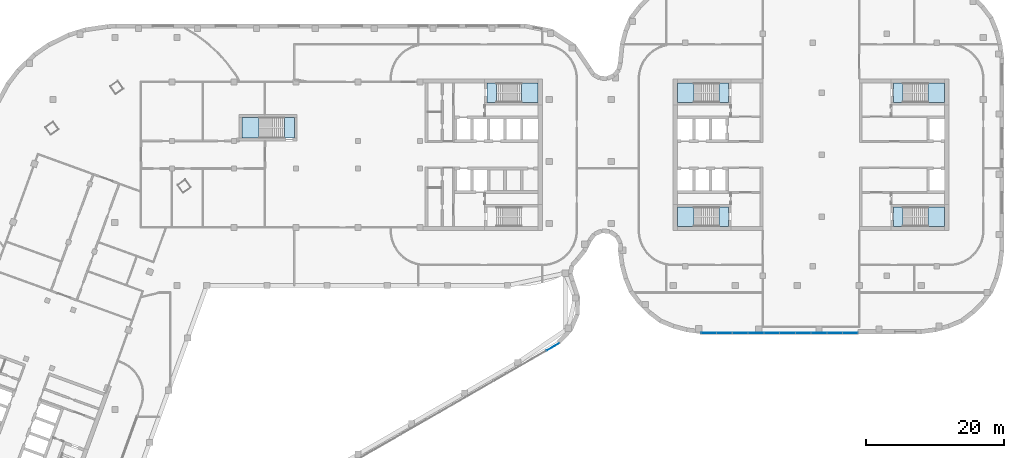
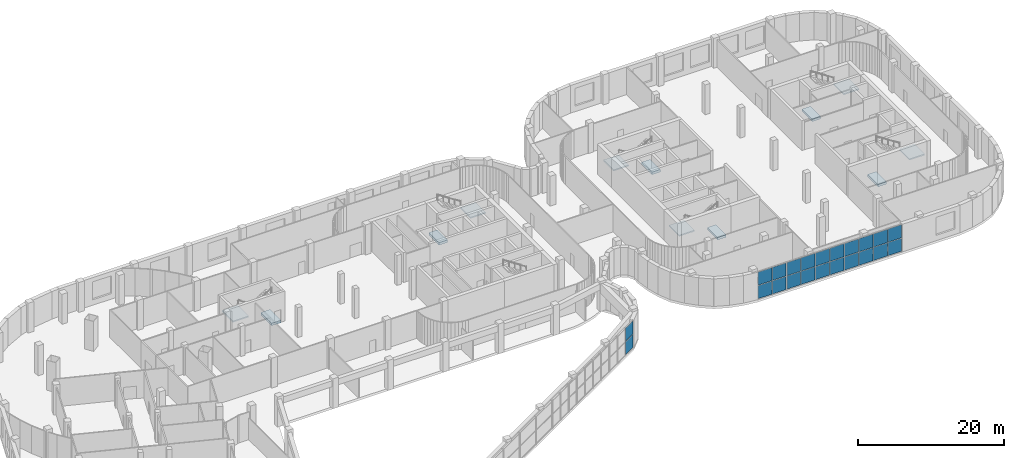
# One storey, part 9 of 25: 22 plates, 12 slabs, 9 elements without a shape of their own.
"""IFC4 building model written with IfcOpenShell, lengths in metres."""

from ifc_helpers import new_model, si_unit, direction, frame, origin, origin_2d, place, context, subcontext, project, spatial, polyline, rectangle, outline, extrude, material, layer, layer_set, type_object, element, aggregate, save


model = new_model("IFC4")

# Units and contexts
model_context = context("Model", 3, precision=1e-05, world=origin(), true_north=direction((0.0, 1.0)))
body_context = subcontext(model_context, "Body", "Model", "MODEL_VIEW")
ifc_project = project(units=[si_unit("LENGTHUNIT", "METRE"), si_unit("AREAUNIT", "SQUARE_METRE"), si_unit("VOLUMEUNIT", "CUBIC_METRE"), si_unit("PLANEANGLEUNIT", "RADIAN"), si_unit("MASSUNIT", "GRAM", prefix="KILO")], contexts=[model_context])

# Site, building, storey
site_placement = place(None, origin())
site = spatial("IfcSite", under=ifc_project, at=site_placement, CompositionType="ELEMENT")
building_placement = place(site_placement, origin())
building = spatial("IfcBuilding", under=site, at=building_placement, Name="Skarvind Civic Tower", CompositionType="ELEMENT")
storey_placement = place(building_placement, frame((0.0, 0.0, 7.5)))
storey = spatial("IfcBuildingStorey", under=building, at=storey_placement, Name="L01", CompositionType="ELEMENT", Elevation=7.5)

# Curtain wall, plates
ifc_material_1 = material(Name="Aluminium alloy 6063 and laminated glass", Category="aluminium")
curtain_wall_type_1 = type_object("IfcCurtainWallType", Name="CW2 TOWER ENTRANCE LOBBY GLAZING", PredefinedType="NOTDEFINED", material=ifc_material_1)
curtain_wall_1_placement = place(storey_placement, origin())
curtain_wall_1 = element("IfcCurtainWall", 1, at=curtain_wall_1_placement, inside=storey, type_object=curtain_wall_type_1, Name="TOWER ENTRANCE LOBBY GLAZING", PredefinedType="NOTDEFINED")
ifc_material_2 = material(Name="Laminated low-iron glass", Category="glass")
ifc_layer_1 = layer(ifc_material_2, 0.031982421875)
ifc_layer_set_1 = layer_set([ifc_layer_1], Name="CW2 GLASS PANEL 32")
plate_type_1 = type_object("IfcPlateType", Name="CW2 GLASS PANEL 32", PredefinedType="CURTAIN_PANEL", material=ifc_layer_set_1)
plate_1_placement = place(storey_placement, frame((109.552734375, 100.10986328125, 0.06982421875), z_axis=(0.0, 0.0, 1.0), x_axis=(-0.866702488463, -0.498825416846, 0.0)))
plate_1 = element("IfcPlate", 2, at=plate_1_placement, type_object=plate_type_1, Name="CW2 panel 1.1", PredefinedType="CURTAIN_PANEL", context=body_context, shape_type="SweptSolid", body=[
    extrude(rectangle(XDim=2.119384765625, YDim=0.031982421875, at=origin_2d()), origin(), (0.0, 0.0, 1.0), 2.195068359375),
])
plate_2_placement = place(storey_placement, frame((109.552734375, 100.10986328125, 2.3349609375), z_axis=(0.0, 0.0, 1.0), x_axis=(-0.866702488463, -0.498825416846, 0.0)))
plate_2 = element("IfcPlate", 3, at=plate_2_placement, type_object=plate_type_1, Name="CW2 panel 1.2", PredefinedType="CURTAIN_PANEL", context=body_context, shape_type="SweptSolid", body=[
    extrude(rectangle(XDim=2.119384765625, YDim=0.031982421875, at=origin_2d()), origin(), (0.0, 0.0, 1.0), 2.195068359375),
])
aggregate(curtain_wall_1, [plate_1, plate_2])

curtain_wall_type_2 = type_object("IfcCurtainWallType", Name="CW6 COMPANION TOWER LOBBY GLAZING", PredefinedType="NOTDEFINED", material=ifc_material_1)
curtain_wall_2_placement = place(storey_placement, origin())
curtain_wall_2 = element("IfcCurtainWall", 4, at=curtain_wall_2_placement, inside=storey, type_object=curtain_wall_type_2, Name="COMPANION TOWER LOBBY GLAZING", PredefinedType="NOTDEFINED")
ifc_layer_2 = layer(ifc_material_2, 0.031982421875)
ifc_layer_set_2 = layer_set([ifc_layer_2], Name="CW6 GLASS PANEL 32")
plate_type_2 = type_object("IfcPlateType", Name="CW6 GLASS PANEL 32", PredefinedType="CURTAIN_PANEL", material=ifc_layer_set_2)
plate_3_placement = place(storey_placement, frame((152.68896484375, 102.110107421875, 0.06982421875), z_axis=(0.0, 0.0, 1.0), x_axis=(-1.0, 0.0, 0.0)))
plate_3 = element("IfcPlate", 5, at=plate_3_placement, type_object=plate_type_2, Name="CW6 panel 1.1", PredefinedType="CURTAIN_PANEL", context=body_context, shape_type="SweptSolid", body=[
    extrude(rectangle(XDim=2.177490234375, YDim=0.031982421875, at=origin_2d()), origin(), (0.0, 0.0, 1.0), 2.195068359375),
])
plate_4_placement = place(storey_placement, frame((152.68896484375, 102.110107421875, 2.3349609375), z_axis=(0.0, 0.0, 1.0), x_axis=(-1.0, 0.0, 0.0)))
plate_4 = element("IfcPlate", 6, at=plate_4_placement, type_object=plate_type_2, Name="CW6 panel 1.2", PredefinedType="CURTAIN_PANEL", context=body_context, shape_type="SweptSolid", body=[
    extrude(rectangle(XDim=2.177490234375, YDim=0.031982421875, at=origin_2d()), origin(), (0.0, 0.0, 1.0), 2.195068359375),
])
plate_5_placement = place(storey_placement, frame((150.423828125, 102.110107421875, 0.06982421875), z_axis=(0.0, 0.0, 1.0), x_axis=(-1.0, 0.0, 0.0)))
plate_5 = element("IfcPlate", 7, at=plate_5_placement, type_object=plate_type_2, Name="CW6 panel 2.1", PredefinedType="CURTAIN_PANEL", context=body_context, shape_type="SweptSolid", body=[
    extrude(rectangle(XDim=2.212646484375, YDim=0.031982421875, at=origin_2d()), origin(), (0.0, 0.0, 1.0), 2.195068359375),
])
plate_6_placement = place(storey_placement, frame((150.423828125, 102.110107421875, 2.3349609375), z_axis=(0.0, 0.0, 1.0), x_axis=(-1.0, 0.0, 0.0)))
plate_6 = element("IfcPlate", 8, at=plate_6_placement, type_object=plate_type_2, Name="CW6 panel 2.2", PredefinedType="CURTAIN_PANEL", context=body_context, shape_type="SweptSolid", body=[
    extrude(rectangle(XDim=2.212646484375, YDim=0.031982421875, at=origin_2d()), origin(), (0.0, 0.0, 1.0), 2.195068359375),
])
plate_7_placement = place(storey_placement, frame((148.141357421875, 102.110107421875, 0.06982421875), z_axis=(0.0, 0.0, 1.0), x_axis=(-1.0, 0.0, 0.0)))
plate_7 = element("IfcPlate", 9, at=plate_7_placement, type_object=plate_type_2, Name="CW6 panel 3.1", PredefinedType="CURTAIN_PANEL", context=body_context, shape_type="SweptSolid", body=[
    extrude(rectangle(XDim=2.212646484375, YDim=0.031982421875, at=origin_2d()), origin(), (0.0, 0.0, 1.0), 2.195068359375),
])
plate_8_placement = place(storey_placement, frame((148.141357421875, 102.110107421875, 2.3349609375), z_axis=(0.0, 0.0, 1.0), x_axis=(-1.0, 0.0, 0.0)))
plate_8 = element("IfcPlate", 10, at=plate_8_placement, type_object=plate_type_2, Name="CW6 panel 3.2", PredefinedType="CURTAIN_PANEL", context=body_context, shape_type="SweptSolid", body=[
    extrude(rectangle(XDim=2.212646484375, YDim=0.031982421875, at=origin_2d()), origin(), (0.0, 0.0, 1.0), 2.195068359375),
])
plate_9_placement = place(storey_placement, frame((145.858642578125, 102.110107421875, 0.06982421875), z_axis=(0.0, 0.0, 1.0), x_axis=(-1.0, 0.0, 0.0)))
plate_9 = element("IfcPlate", 11, at=plate_9_placement, type_object=plate_type_2, Name="CW6 panel 4.1", PredefinedType="CURTAIN_PANEL", context=body_context, shape_type="SweptSolid", body=[
    extrude(rectangle(XDim=2.212646484375, YDim=0.031982421875, at=origin_2d()), origin(), (0.0, 0.0, 1.0), 2.195068359375),
])
plate_10_placement = place(storey_placement, frame((145.858642578125, 102.110107421875, 2.3349609375), z_axis=(0.0, 0.0, 1.0), x_axis=(-1.0, 0.0, 0.0)))
plate_10 = element("IfcPlate", 12, at=plate_10_placement, type_object=plate_type_2, Name="CW6 panel 4.2", PredefinedType="CURTAIN_PANEL", context=body_context, shape_type="SweptSolid", body=[
    extrude(rectangle(XDim=2.212646484375, YDim=0.031982421875, at=origin_2d()), origin(), (0.0, 0.0, 1.0), 2.195068359375),
])
plate_11_placement = place(storey_placement, frame((143.576171875, 102.110107421875, 0.06982421875), z_axis=(0.0, 0.0, 1.0), x_axis=(-1.0, 0.0, 0.0)))
plate_11 = element("IfcPlate", 13, at=plate_11_placement, type_object=plate_type_2, Name="CW6 panel 5.1", PredefinedType="CURTAIN_PANEL", context=body_context, shape_type="SweptSolid", body=[
    extrude(rectangle(XDim=2.212646484375, YDim=0.031982421875, at=origin_2d()), origin(), (0.0, 0.0, 1.0), 2.195068359375),
])
plate_12_placement = place(storey_placement, frame((143.576171875, 102.110107421875, 2.3349609375), z_axis=(0.0, 0.0, 1.0), x_axis=(-1.0, 0.0, 0.0)))
plate_12 = element("IfcPlate", 14, at=plate_12_placement, type_object=plate_type_2, Name="CW6 panel 5.2", PredefinedType="CURTAIN_PANEL", context=body_context, shape_type="SweptSolid", body=[
    extrude(rectangle(XDim=2.212646484375, YDim=0.031982421875, at=origin_2d()), origin(), (0.0, 0.0, 1.0), 2.195068359375),
])
plate_13_placement = place(storey_placement, frame((141.29345703125, 102.110107421875, 0.06982421875), z_axis=(0.0, 0.0, 1.0), x_axis=(-1.0, 0.0, 0.0)))
plate_13 = element("IfcPlate", 15, at=plate_13_placement, type_object=plate_type_2, Name="CW6 panel 6.1", PredefinedType="CURTAIN_PANEL", context=body_context, shape_type="SweptSolid", body=[
    extrude(rectangle(XDim=2.212646484375, YDim=0.031982421875, at=origin_2d()), origin(), (0.0, 0.0, 1.0), 2.195068359375),
])
plate_14_placement = place(storey_placement, frame((141.29345703125, 102.110107421875, 2.3349609375), z_axis=(0.0, 0.0, 1.0), x_axis=(-1.0, 0.0, 0.0)))
plate_14 = element("IfcPlate", 16, at=plate_14_placement, type_object=plate_type_2, Name="CW6 panel 6.2", PredefinedType="CURTAIN_PANEL", context=body_context, shape_type="SweptSolid", body=[
    extrude(rectangle(XDim=2.212646484375, YDim=0.031982421875, at=origin_2d()), origin(), (0.0, 0.0, 1.0), 2.195068359375),
])
plate_15_placement = place(storey_placement, frame((139.010986328125, 102.110107421875, 0.06982421875), z_axis=(0.0, 0.0, 1.0), x_axis=(-1.0, 0.0, 0.0)))
plate_15 = element("IfcPlate", 17, at=plate_15_placement, type_object=plate_type_2, Name="CW6 panel 7.1", PredefinedType="CURTAIN_PANEL", context=body_context, shape_type="SweptSolid", body=[
    extrude(rectangle(XDim=2.212646484375, YDim=0.031982421875, at=origin_2d()), origin(), (0.0, 0.0, 1.0), 2.195068359375),
])
plate_16_placement = place(storey_placement, frame((139.010986328125, 102.110107421875, 2.3349609375), z_axis=(0.0, 0.0, 1.0), x_axis=(-1.0, 0.0, 0.0)))
plate_16 = element("IfcPlate", 18, at=plate_16_placement, type_object=plate_type_2, Name="CW6 panel 7.2", PredefinedType="CURTAIN_PANEL", context=body_context, shape_type="SweptSolid", body=[
    extrude(rectangle(XDim=2.212646484375, YDim=0.031982421875, at=origin_2d()), origin(), (0.0, 0.0, 1.0), 2.195068359375),
])
plate_17_placement = place(storey_placement, frame((136.745849609375, 102.110107421875, 0.06982421875), z_axis=(0.0, 0.0, 1.0), x_axis=(-1.0, 0.0, 0.0)))
plate_17 = element("IfcPlate", 19, at=plate_17_placement, type_object=plate_type_2, Name="CW6 panel 8.1", PredefinedType="CURTAIN_PANEL", context=body_context, shape_type="SweptSolid", body=[
    extrude(rectangle(XDim=2.177490234375, YDim=0.031982421875, at=origin_2d()), origin(), (0.0, 0.0, 1.0), 2.195068359375),
])
plate_18_placement = place(storey_placement, frame((136.745849609375, 102.110107421875, 2.3349609375), z_axis=(0.0, 0.0, 1.0), x_axis=(-1.0, 0.0, 0.0)))
plate_18 = element("IfcPlate", 20, at=plate_18_placement, type_object=plate_type_2, Name="CW6 panel 8.2", PredefinedType="CURTAIN_PANEL", context=body_context, shape_type="SweptSolid", body=[
    extrude(rectangle(XDim=2.177490234375, YDim=0.031982421875, at=origin_2d()), origin(), (0.0, 0.0, 1.0), 2.195068359375),
])
aggregate(curtain_wall_2, [plate_3, plate_4, plate_5, plate_6, plate_7, plate_8, plate_9, plate_10, plate_11, plate_12, plate_13, plate_14, plate_15, plate_16, plate_17, plate_18])

curtain_wall_3_placement = place(storey_placement, origin())
curtain_wall_3 = element("IfcCurtainWall", 21, at=curtain_wall_3_placement, inside=storey, type_object=curtain_wall_type_2, Name="COMPANION TOWER LOBBY GLAZING", PredefinedType="NOTDEFINED")
plate_19_placement = place(storey_placement, frame((134.42822265625, 102.110107421875, 0.06982421875), z_axis=(0.0, 0.0, 1.0), x_axis=(-1.0, 0.0, 0.0)))
plate_19 = element("IfcPlate", 22, at=plate_19_placement, type_object=plate_type_2, Name="CW6 panel 1.1", PredefinedType="CURTAIN_PANEL", context=body_context, shape_type="SweptSolid", body=[
    extrude(rectangle(XDim=2.177490234375, YDim=0.031982421875, at=origin_2d()), origin(), (0.0, 0.0, 1.0), 2.195068359375),
])
plate_20_placement = place(storey_placement, frame((134.42822265625, 102.110107421875, 2.3349609375), z_axis=(0.0, 0.0, 1.0), x_axis=(-1.0, 0.0, 0.0)))
plate_20 = element("IfcPlate", 23, at=plate_20_placement, type_object=plate_type_2, Name="CW6 panel 1.2", PredefinedType="CURTAIN_PANEL", context=body_context, shape_type="SweptSolid", body=[
    extrude(rectangle(XDim=2.177490234375, YDim=0.031982421875, at=origin_2d()), origin(), (0.0, 0.0, 1.0), 2.195068359375),
])
plate_21_placement = place(storey_placement, frame((132.1806640625, 102.110107421875, 0.06982421875), z_axis=(0.0, 0.0, 1.0), x_axis=(-1.0, 0.0, 0.0)))
plate_21 = element("IfcPlate", 24, at=plate_21_placement, type_object=plate_type_2, Name="CW6 panel 2.1", PredefinedType="CURTAIN_PANEL", context=body_context, shape_type="SweptSolid", body=[
    extrude(rectangle(XDim=2.177490234375, YDim=0.031982421875, at=origin_2d()), origin(), (0.0, 0.0, 1.0), 2.195068359375),
])
plate_22_placement = place(storey_placement, frame((132.1806640625, 102.110107421875, 2.3349609375), z_axis=(0.0, 0.0, 1.0), x_axis=(-1.0, 0.0, 0.0)))
plate_22 = element("IfcPlate", 25, at=plate_22_placement, type_object=plate_type_2, Name="CW6 panel 2.2", PredefinedType="CURTAIN_PANEL", context=body_context, shape_type="SweptSolid", body=[
    extrude(rectangle(XDim=2.177490234375, YDim=0.031982421875, at=origin_2d()), origin(), (0.0, 0.0, 1.0), 2.195068359375),
])
aggregate(curtain_wall_3, [plate_19, plate_20, plate_21, plate_22])

# Slabs
ifc_material_3 = material(Name="Concrete C40/50", Category="concrete")
ifc_layer_3 = layer(ifc_material_3, 0.39990234375)
ifc_layer_set_3 = layer_set([ifc_layer_3], Name="Stair floor landing slab 400")
slab_type_1 = type_object("IfcSlabType", Name="Stair floor landing slab 400", PredefinedType="LANDING", material=ifc_layer_set_3)
slab_1_placement = place(storey_placement, frame((0.0, 0.0, -0.39990234375)))
element("IfcSlab", 26, at=slab_1_placement, inside=storey, type_object=slab_type_1, Name="Stair floor landing", PredefinedType="LANDING", context=body_context, shape_type="SweptSolid", body=[
    extrude(outline(polyline([(101.3505859375, 138.400634765625), (101.3505859375, 135.599365234375), (99.99951171875, 135.599365234375), (99.99951171875, 138.400634765625), (101.3505859375, 138.400634765625)])), origin(), (0.0, 0.0, 1.0), 0.39990234375),
])
slab_2_placement = place(storey_placement, frame((0.0, 0.0, -0.39990234375)))
element("IfcSlab", 27, at=slab_2_placement, inside=storey, type_object=slab_type_1, Name="Stair floor landing", PredefinedType="LANDING", context=body_context, shape_type="SweptSolid", body=[
    extrude(outline(polyline([(133.6494140625, 117.599365234375), (133.6494140625, 120.400634765625), (135.00048828125, 120.400634765625), (135.00048828125, 117.599365234375), (133.6494140625, 117.599365234375)])), origin(), (0.0, 0.0, 1.0), 0.39990234375),
])
slab_3_placement = place(storey_placement, frame((0.0, 0.0, -0.39990234375)))
element("IfcSlab", 28, at=slab_3_placement, inside=storey, type_object=slab_type_1, Name="Stair floor landing", PredefinedType="LANDING", context=body_context, shape_type="SweptSolid", body=[
    extrude(outline(polyline([(133.6494140625, 135.599365234375), (133.6494140625, 138.400634765625), (135.00048828125, 138.400634765625), (135.00048828125, 135.599365234375), (133.6494140625, 135.599365234375)])), origin(), (0.0, 0.0, 1.0), 0.39990234375),
])
slab_4_placement = place(storey_placement, frame((0.0, 0.0, -0.39990234375)))
element("IfcSlab", 29, at=slab_4_placement, inside=storey, type_object=slab_type_1, Name="Stair floor landing", PredefinedType="LANDING", context=body_context, shape_type="SweptSolid", body=[
    extrude(outline(polyline([(160.3505859375, 138.400634765625), (160.3505859375, 135.599365234375), (158.99951171875, 135.599365234375), (158.99951171875, 138.400634765625), (160.3505859375, 138.400634765625)])), origin(), (0.0, 0.0, 1.0), 0.39990234375),
])
slab_5_placement = place(storey_placement, frame((0.0, 0.0, -0.39990234375)))
element("IfcSlab", 30, at=slab_5_placement, inside=storey, type_object=slab_type_1, Name="Stair floor landing", PredefinedType="LANDING", context=body_context, shape_type="SweptSolid", body=[
    extrude(outline(polyline([(160.3505859375, 120.400634765625), (160.3505859375, 117.599365234375), (158.99951171875, 117.599365234375), (158.99951171875, 120.400634765625), (160.3505859375, 120.400634765625)])), origin(), (0.0, 0.0, 1.0), 0.39990234375),
])
slab_6_placement = place(storey_placement, frame((0.0, 0.0, -0.39990234375)))
element("IfcSlab", 31, at=slab_6_placement, inside=storey, type_object=slab_type_1, Name="Stair floor landing", PredefinedType="LANDING", context=body_context, shape_type="SweptSolid", body=[
    extrude(outline(polyline([(70.54931640625, 130.3994140625), (70.54931640625, 133.400634765625), (72.00048828125, 133.400634765625), (72.00048828125, 130.3994140625), (70.54931640625, 130.3994140625)])), origin(), (0.0, 0.0, 1.0), 0.39990234375),
])

# Stair, slab
stair_type_1 = type_object("IfcStairType", Name="Exit stair, half-turn, concrete", PredefinedType="HALF_TURN_STAIR", material=ifc_material_3)
stair_1_placement = place(storey_placement, origin())
stair_1 = element("IfcStair", 32, at=stair_1_placement, inside=storey, type_object=stair_type_1, Name="Exit stair C1S", PredefinedType="HALF_TURN_STAIR")
ifc_layer_4 = layer(ifc_material_3, 0.199951171875)
ifc_layer_set_4 = layer_set([ifc_layer_4], Name="Stair half landing slab")
slab_type_2 = type_object("IfcSlabType", Name="Stair half landing slab", PredefinedType="LANDING", material=ifc_layer_set_4)
slab_7_placement = place(storey_placement, frame((0.0, 0.0, 2.300048828125)))
slab_7 = element("IfcSlab", 33, at=slab_7_placement, type_object=slab_type_2, Name="ST-C1S landing 1", PredefinedType="LANDING", context=body_context, shape_type="SweptSolid", body=[
    extrude(outline(polyline([(104.989501953125, 135.599365234375), (104.989501953125, 138.400634765625), (107.400634765625, 138.400634765625), (107.400634765625, 135.599365234375), (104.989501953125, 135.599365234375)])), origin(), (0.0, 0.0, 1.0), 0.199951171875),
])
aggregate(stair_1, [slab_7])

stair_2_placement = place(storey_placement, origin())
stair_2 = element("IfcStair", 34, at=stair_2_placement, inside=storey, type_object=stair_type_1, Name="Exit stair CAS", PredefinedType="HALF_TURN_STAIR")
slab_8_placement = place(storey_placement, frame((0.0, 0.0, 2.300048828125)))
slab_8 = element("IfcSlab", 35, at=slab_8_placement, type_object=slab_type_2, Name="ST-CAS landing 1", PredefinedType="LANDING", context=body_context, shape_type="SweptSolid", body=[
    extrude(outline(polyline([(130.010498046875, 120.400634765625), (130.010498046875, 117.599365234375), (127.599365234375, 117.599365234375), (127.599365234375, 120.400634765625), (130.010498046875, 120.400634765625)])), origin(), (0.0, 0.0, 1.0), 0.199951171875),
])
aggregate(stair_2, [slab_8])

stair_3_placement = place(storey_placement, origin())
stair_3 = element("IfcStair", 36, at=stair_3_placement, inside=storey, type_object=stair_type_1, Name="Exit stair CAN", PredefinedType="HALF_TURN_STAIR")
slab_9_placement = place(storey_placement, frame((0.0, 0.0, 2.300048828125)))
slab_9 = element("IfcSlab", 37, at=slab_9_placement, type_object=slab_type_2, Name="ST-CAN landing 1", PredefinedType="LANDING", context=body_context, shape_type="SweptSolid", body=[
    extrude(outline(polyline([(130.010498046875, 138.400634765625), (130.010498046875, 135.599365234375), (127.599365234375, 135.599365234375), (127.599365234375, 138.400634765625), (130.010498046875, 138.400634765625)])), origin(), (0.0, 0.0, 1.0), 0.199951171875),
])
aggregate(stair_3, [slab_9])

stair_4_placement = place(storey_placement, origin())
stair_4 = element("IfcStair", 38, at=stair_4_placement, inside=storey, type_object=stair_type_1, Name="Exit stair CBS", PredefinedType="HALF_TURN_STAIR")
slab_10_placement = place(storey_placement, frame((0.0, 0.0, 2.300048828125)))
slab_10 = element("IfcSlab", 39, at=slab_10_placement, type_object=slab_type_2, Name="ST-CBS landing 1", PredefinedType="LANDING", context=body_context, shape_type="SweptSolid", body=[
    extrude(outline(polyline([(163.989501953125, 135.599365234375), (163.989501953125, 138.400634765625), (166.400634765625, 138.400634765625), (166.400634765625, 135.599365234375), (163.989501953125, 135.599365234375)])), origin(), (0.0, 0.0, 1.0), 0.199951171875),
])
aggregate(stair_4, [slab_10])

stair_5_placement = place(storey_placement, origin())
stair_5 = element("IfcStair", 40, at=stair_5_placement, inside=storey, type_object=stair_type_1, Name="Exit stair CBN", PredefinedType="HALF_TURN_STAIR")
slab_11_placement = place(storey_placement, frame((0.0, 0.0, 2.300048828125)))
slab_11 = element("IfcSlab", 41, at=slab_11_placement, type_object=slab_type_2, Name="ST-CBN landing 1", PredefinedType="LANDING", context=body_context, shape_type="SweptSolid", body=[
    extrude(outline(polyline([(163.989501953125, 117.599365234375), (163.989501953125, 120.400634765625), (166.400634765625, 120.400634765625), (166.400634765625, 117.599365234375), (163.989501953125, 117.599365234375)])), origin(), (0.0, 0.0, 1.0), 0.199951171875),
])
aggregate(stair_5, [slab_11])

stair_type_2 = type_object("IfcStairType", Name="Exit stair 1450, half-turn, concrete", PredefinedType="HALF_TURN_STAIR", material=ifc_material_3)
stair_6_placement = place(storey_placement, origin())
stair_6 = element("IfcStair", 42, at=stair_6_placement, inside=storey, type_object=stair_type_2, Name="Exit stair CM", PredefinedType="HALF_TURN_STAIR")
slab_12_placement = place(storey_placement, frame((0.0, 0.0, 2.300048828125)))
slab_12 = element("IfcSlab", 43, at=slab_12_placement, type_object=slab_type_2, Name="ST-CM landing 1", PredefinedType="LANDING", context=body_context, shape_type="SweptSolid", body=[
    extrude(outline(polyline([(66.91064453125, 133.400634765625), (66.91064453125, 130.3994140625), (64.3994140625, 130.3994140625), (64.3994140625, 133.400634765625), (66.91064453125, 133.400634765625)])), origin(), (0.0, 0.0, 1.0), 0.199951171875),
])
aggregate(stair_6, [slab_12])

save(model, "model.ifc")
